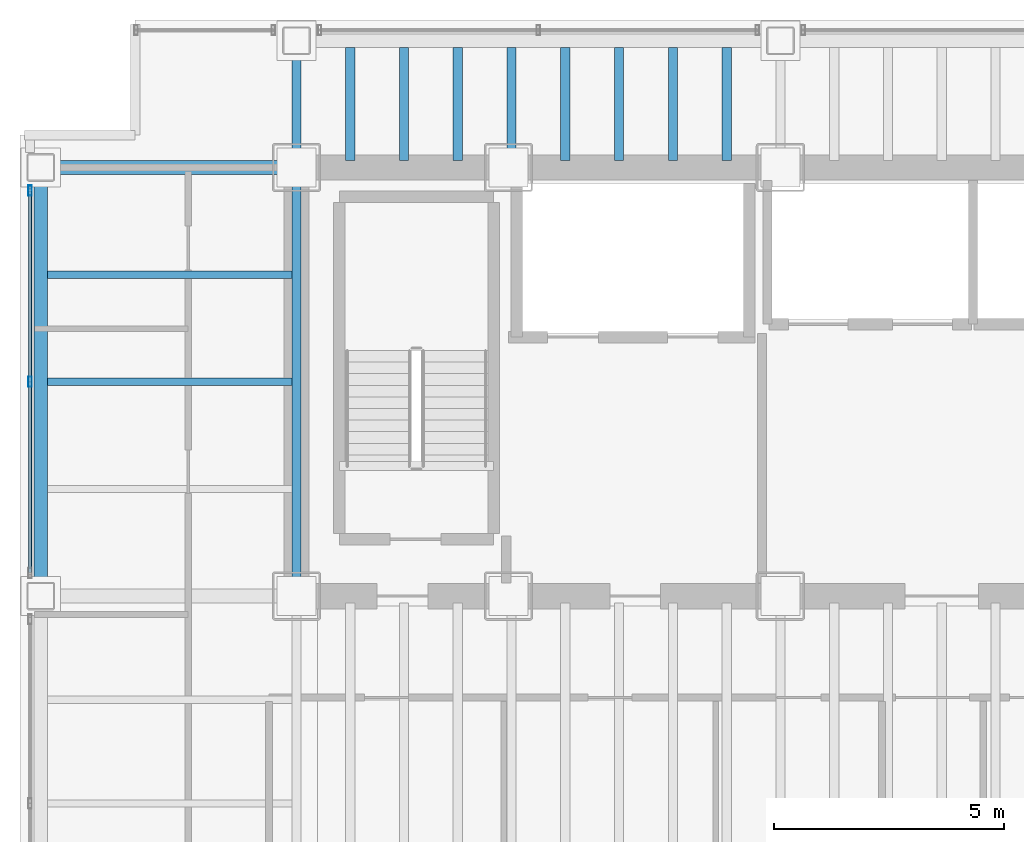
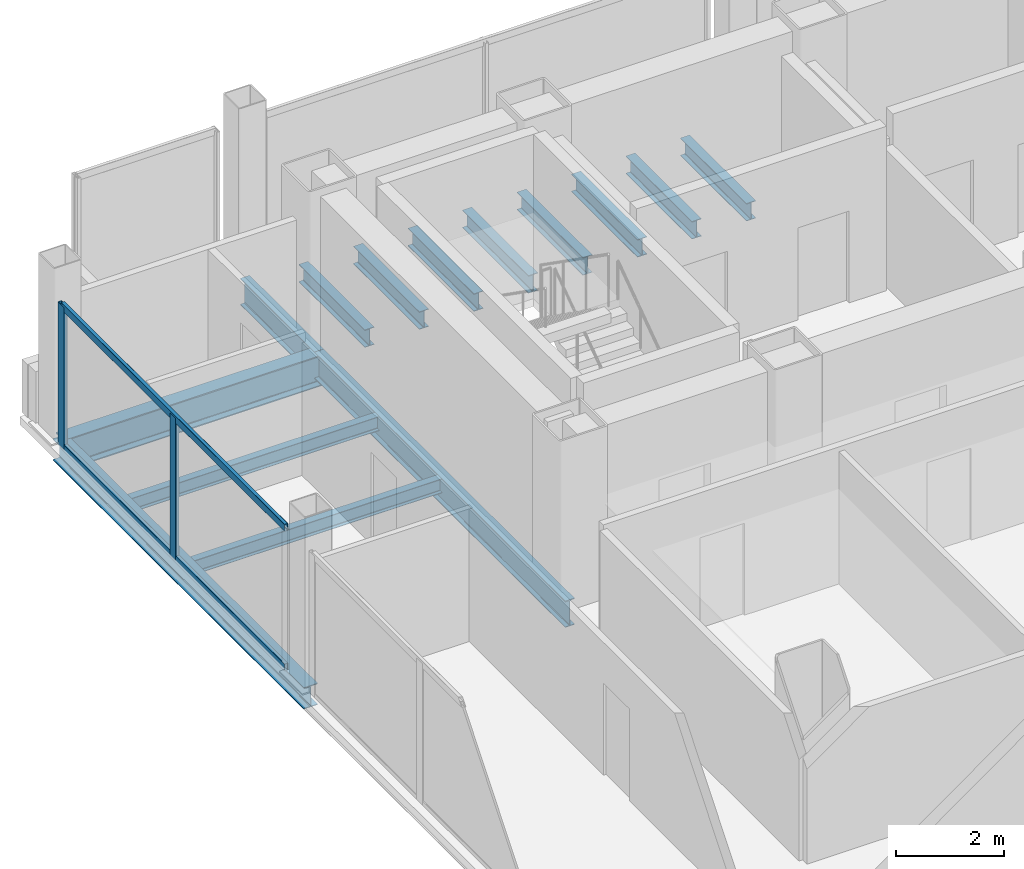
# One storey, part 7 of 21: 14 beams, 4 members, 1 element without a shape of its own.
"""IFC4 building model written with IfcOpenShell, lengths in metres."""

from ifc_helpers import new_model, si_unit, direction, frame, origin, origin_2d, place, context, subcontext, project, spatial, hollow_rectangle, i_section, extrude, material, material_profile, profile_set, type_object, element, aggregate, save


model = new_model("IFC4")

# Units and contexts
model_context = context("Model", 3, precision=1e-05, world=origin(), true_north=direction((0.0, 1.0)))
body_context = subcontext(model_context, "Body", "Model", "MODEL_VIEW")
ifc_project = project(units=[si_unit("LENGTHUNIT", "METRE"), si_unit("AREAUNIT", "SQUARE_METRE"), si_unit("VOLUMEUNIT", "CUBIC_METRE"), si_unit("PLANEANGLEUNIT", "RADIAN"), si_unit("MASSUNIT", "GRAM", prefix="KILO")], contexts=[model_context])

# Site, building, storey
site_placement = place(None, origin())
site = spatial("IfcSite", under=ifc_project, at=site_placement, CompositionType="ELEMENT")
building_placement = place(site_placement, origin())
building = spatial("IfcBuilding", under=site, at=building_placement, Name="Noeulbin Bourse Tower", CompositionType="ELEMENT")
storey_placement = place(building_placement, frame((0.0, 0.0, 92.800048828125)))
storey = spatial("IfcBuildingStorey", under=building, at=storey_placement, Name="L23", CompositionType="ELEMENT", Elevation=92.800048828125)

# Beams
ifc_material_1 = material(Name="Steel S355", Category="steel")
ifc_material_profile_1 = material_profile(ifc_material_1, i_section(OverallWidth=0.199951171875, OverallDepth=0.60009765625, WebThickness=0.010986328125, FlangeThickness=0.01708984375, FilletRadius=0.02197265625, at=origin_2d()), Name="H-600x200x11x17", Category="LoadBearing")
ifc_profile_set_1 = profile_set([ifc_material_profile_1], Name="Steel S355")
beam_type_1 = type_object("IfcBeamType", Name="BM-GRD-600", PredefinedType="USERDEFINED", material=ifc_profile_set_1)
beam_1_placement = place(storey_placement, frame((13.5, 29.0, -0.47998046875), z_axis=(0.0, 1.0, 0.0), x_axis=(-1.0, 0.0, 0.0)))
element("IfcBeam", 1, at=beam_1_placement, inside=storey, type_object=beam_type_1, Name="Tower Primary Girder NS L23-1.3", ObjectType="GIRDER", PredefinedType="USERDEFINED", context=body_context, shape_type="SweptSolid", body=[
    extrude(i_section(OverallWidth=0.199951171875, OverallDepth=0.60009765625, WebThickness=0.010986328125, FlangeThickness=0.01708984375, FilletRadius=0.02197265625, at=origin_2d()), origin(), (0.0, 0.0, 1.0), 9.300048828125),
])
beam_2_placement = place(storey_placement, frame((13.5, 38.300048828125, -0.47998046875), z_axis=(0.0, 1.0, 0.0), x_axis=(-1.0, 0.0, 0.0)))
element("IfcBeam", 2, at=beam_2_placement, inside=storey, type_object=beam_type_1, Name="Tower Primary Girder NS L23-1.4", ObjectType="GIRDER", PredefinedType="USERDEFINED", context=body_context, shape_type="SweptSolid", body=[
    extrude(i_section(OverallWidth=0.199951171875, OverallDepth=0.60009765625, WebThickness=0.010986328125, FlangeThickness=0.01708984375, FilletRadius=0.02197265625, at=origin_2d()), origin(), (0.0, 0.0, 1.0), 2.75),
])
ifc_material_profile_2 = material_profile(ifc_material_1, i_section(OverallWidth=0.300048828125, OverallDepth=0.699951171875, WebThickness=0.012939453125, FlangeThickness=0.02392578125, FilletRadius=0.02392578125, at=origin_2d()), Name="H-700x300x13x24", Category="LoadBearing")
ifc_profile_set_2 = profile_set([ifc_material_profile_2], Name="Steel S355")
beam_type_2 = type_object("IfcBeamType", Name="BM-GRD-700", PredefinedType="USERDEFINED", material=ifc_profile_set_2)
beam_3_placement = place(storey_placement, frame((7.949951171875, 38.300048828125, -0.530029296875), z_axis=(1.0, 0.0, 0.0), x_axis=(0.0, 1.0, 0.0)))
element("IfcBeam", 3, at=beam_3_placement, inside=storey, type_object=beam_type_2, Name="Tower Primary Girder EW L23-3.1", ObjectType="GIRDER", PredefinedType="USERDEFINED", context=body_context, shape_type="SweptSolid", body=[
    extrude(i_section(OverallWidth=0.300048828125, OverallDepth=0.699951171875, WebThickness=0.012939453125, FlangeThickness=0.02392578125, FilletRadius=0.02392578125, at=origin_2d()), origin(), (0.0, 0.0, 1.0), 5.550048828125),
])
ifc_material_profile_3 = material_profile(ifc_material_1, i_section(OverallWidth=0.159912109375, OverallDepth=0.320068359375, WebThickness=0.006591796875, FlangeThickness=0.010009765625, FilletRadius=0.012939453125, at=origin_2d()), Name="H-320x160x6.5x10", Category="LoadBearing")
ifc_profile_set_3 = profile_set([ifc_material_profile_3], Name="Steel S355")
beam_type_3 = type_object("IfcBeamType", Name="BM-JST-320", PredefinedType="JOIST", material=ifc_profile_set_3)
for number, where, z_axis, x_axis, name in (
    (4, (8.10009765625, 33.64990234375, -0.340087890625), (1.0, 0.0, 0.0), (0.0, 1.0, 0.0), "Wing Composite Joist L23-W74"),
    (5, (8.10009765625, 35.97509765625, -0.340087890625), (1.0, 0.0, 0.0), (0.0, 1.0, 0.0), "Wing Composite Joist L23-W75"),
):
    element("IfcBeam", number, at=place(storey_placement, frame(where, z_axis=z_axis, x_axis=x_axis)), inside=storey, type_object=beam_type_3, Name=name, PredefinedType="JOIST", context=body_context, shape_type="SweptSolid", body=[
        extrude(i_section(OverallWidth=0.159912109375, OverallDepth=0.320068359375, WebThickness=0.006591796875, FlangeThickness=0.010009765625, FilletRadius=0.012939453125, at=origin_2d()), origin(), (0.0, 0.0, 1.0), 5.2998046875),
    ])
ifc_material_profile_4 = material_profile(ifc_material_1, i_section(OverallWidth=0.199951171875, OverallDepth=0.39990234375, WebThickness=0.008056640625, FlangeThickness=0.012939453125, FilletRadius=0.01611328125, at=origin_2d()), Name="H-400x200x8x13", Category="LoadBearing")
ifc_profile_set_4 = profile_set([ifc_material_profile_4], Name="Steel S355")
beam_type_4 = type_object("IfcBeamType", Name="BM-SEC-400", PredefinedType="BEAM", material=ifc_profile_set_4)
for number, where, z_axis, x_axis, name in (
    (6, (14.666748046875, 38.449951171875, -0.380126953125), (0.0, 1.0, 0.0), (-1.0, 0.0, 0.0), "Tower Composite Joist L23-03"),
    (7, (15.833251953125, 38.449951171875, -0.380126953125), (0.0, 1.0, 0.0), (-1.0, 0.0, 0.0), "Tower Composite Joist L23-06"),
    (8, (17.0, 38.449951171875, -0.380126953125), (0.0, 1.0, 0.0), (-1.0, 0.0, 0.0), "Tower Composite Joist L23-09"),
    (9, (18.166748046875, 38.449951171875, -0.380126953125), (0.0, 1.0, 0.0), (-1.0, 0.0, 0.0), "Tower Composite Joist L23-12"),
    (10, (19.333251953125, 38.449951171875, -0.380126953125), (0.0, 1.0, 0.0), (-1.0, 0.0, 0.0), "Tower Composite Joist L23-15"),
    (11, (20.5, 38.449951171875, -0.380126953125), (0.0, 1.0, 0.0), (-1.0, 0.0, 0.0), "Tower Composite Joist L23-18"),
    (12, (21.666748046875, 38.449951171875, -0.380126953125), (0.0, 1.0, 0.0), (-1.0, 0.0, 0.0), "Tower Composite Joist L23-21"),
    (13, (22.833251953125, 38.449951171875, -0.380126953125), (0.0, 1.0, 0.0), (-1.0, 0.0, 0.0), "Tower Composite Joist L23-24"),
):
    element("IfcBeam", number, at=place(storey_placement, frame(where, z_axis=z_axis, x_axis=x_axis)), inside=storey, type_object=beam_type_4, Name=name, PredefinedType="BEAM", context=body_context, shape_type="SweptSolid", body=[
        extrude(i_section(OverallWidth=0.199951171875, OverallDepth=0.39990234375, WebThickness=0.008056640625, FlangeThickness=0.012939453125, FilletRadius=0.01611328125, at=origin_2d()), origin(), (0.0, 0.0, 1.0), 2.449951171875),
    ])
ifc_material_profile_5 = material_profile(ifc_material_1, i_section(OverallWidth=0.300048828125, OverallDepth=0.488037109375, WebThickness=0.010986328125, FlangeThickness=0.01806640625, FilletRadius=0.02197265625, at=origin_2d()), Name="H-488x300x11x18", Category="LoadBearing")
ifc_profile_set_5 = profile_set([ifc_material_profile_5], Name="Steel S355")
beam_type_5 = type_object("IfcBeamType", Name="BM-SPN-488", PredefinedType="SPANDREL", material=ifc_profile_set_5)
beam_4_placement = place(storey_placement, frame((7.949951171875, 29.0, -0.424072265625), z_axis=(0.0, 1.0, 0.0), x_axis=(-1.0, 0.0, 0.0)))
element("IfcBeam", 14, at=beam_4_placement, inside=storey, type_object=beam_type_5, Name="West Spandrel L23-2", PredefinedType="SPANDREL", context=body_context, shape_type="SweptSolid", body=[
    extrude(i_section(OverallWidth=0.300048828125, OverallDepth=0.488037109375, WebThickness=0.010986328125, FlangeThickness=0.01806640625, FilletRadius=0.02197265625, at=origin_2d()), origin(), (0.0, 0.0, 1.0), 9.300048828125),
])

# Curtain wall, members
ifc_material_2 = material(Name="Dark Solar-Control Double Glazing", Category="glass")
curtain_wall_type = type_object("IfcCurtainWallType", Name="CW-SYS-2", PredefinedType="NOTDEFINED", material=ifc_material_2)
curtain_wall_placement = place(storey_placement, origin())
curtain_wall = element("IfcCurtainWall", 15, at=curtain_wall_placement, inside=storey, type_object=curtain_wall_type, Name="Unitised Curtain Wall CW-L23-W-S3", PredefinedType="NOTDEFINED")
ifc_material_3 = material(Name="Anodised Aluminium 6063-T6", Category="aluminium")
ifc_material_profile_6 = material_profile(ifc_material_3, hollow_rectangle(XDim=0.074951171875, YDim=0.219970703125, WallThickness=0.0048828125, InnerFilletRadius=0.00244140625, OuterFilletRadius=0.0048828125, at=origin_2d()), Name="ALU-MULL-75x220x5", Category="LoadBearing")
ifc_profile_set_6 = profile_set([ifc_material_profile_6], Name="Anodised Aluminium 6063-T6")
member_type_1 = type_object("IfcMemberType", Name="CW-SYS-2-MUL", PredefinedType="MULLION", material=ifc_profile_set_6)
member_1_placement = place(storey_placement, frame((7.719970703125, 33.64990234375, -0.02001953125), z_axis=(0.0, 0.0, 1.0), x_axis=(1.0, 0.0, 0.0)))
member_1 = element("IfcMember", 16, at=member_1_placement, type_object=member_type_1, Name="Curtain Wall Mullion CW-L23-W-S3-M01", PredefinedType="MULLION", context=body_context, shape_type="SweptSolid", body=[
    extrude(hollow_rectangle(XDim=0.074951171875, YDim=0.219970703125, WallThickness=0.0048828125, InnerFilletRadius=0.00244140625, OuterFilletRadius=0.0048828125, at=origin_2d()), origin(), (0.0, 0.0, 1.0), 3.219970703125),
])
member_2_placement = place(storey_placement, frame((7.719970703125, 37.800048828125, -0.02001953125), z_axis=(0.0, 0.0, 1.0), x_axis=(1.0, 0.0, 0.0)))
member_2 = element("IfcMember", 17, at=member_2_placement, type_object=member_type_1, Name="Curtain Wall Mullion CW-L23-W-S3-M02", PredefinedType="MULLION", context=body_context, shape_type="SweptSolid", body=[
    extrude(hollow_rectangle(XDim=0.074951171875, YDim=0.219970703125, WallThickness=0.0048828125, InnerFilletRadius=0.00244140625, OuterFilletRadius=0.0048828125, at=origin_2d()), origin(), (0.0, 0.0, 1.0), 3.219970703125),
])
ifc_material_profile_7 = material_profile(ifc_material_3, hollow_rectangle(XDim=0.074951171875, YDim=0.159912109375, WallThickness=0.0048828125, InnerFilletRadius=0.00244140625, OuterFilletRadius=0.0048828125, at=origin_2d()), Name="ALU-TRAN-75x160x5", Category="LoadBearing")
ifc_profile_set_7 = profile_set([ifc_material_profile_7], Name="Anodised Aluminium 6063-T6")
member_type_2 = type_object("IfcMemberType", Name="CW-SYS-2-TRN", PredefinedType="USERDEFINED", material=ifc_profile_set_7)
member_3_placement = place(storey_placement, frame((7.719970703125, 29.510009765625, 0.010009765625), z_axis=(0.0, 1.0, 0.0), x_axis=(-1.0, 0.0, 0.0)))
member_3 = element("IfcMember", 18, at=member_3_placement, type_object=member_type_2, Name="Curtain Wall Transom CW-L23-W-S3-T00", ObjectType="TRANSOM", PredefinedType="USERDEFINED", context=body_context, shape_type="SweptSolid", body=[
    extrude(hollow_rectangle(XDim=0.074951171875, YDim=0.159912109375, WallThickness=0.0048828125, InnerFilletRadius=0.00244140625, OuterFilletRadius=0.0048828125, at=origin_2d()), origin(), (0.0, 0.0, 1.0), 8.280029296875),
])
member_4_placement = place(storey_placement, frame((7.719970703125, 29.510009765625, 3.169921875), z_axis=(0.0, 1.0, 0.0), x_axis=(-1.0, 0.0, 0.0)))
member_4 = element("IfcMember", 19, at=member_4_placement, type_object=member_type_2, Name="Curtain Wall Transom CW-L23-W-S3-T01", ObjectType="TRANSOM", PredefinedType="USERDEFINED", context=body_context, shape_type="SweptSolid", body=[
    extrude(hollow_rectangle(XDim=0.074951171875, YDim=0.159912109375, WallThickness=0.0048828125, InnerFilletRadius=0.00244140625, OuterFilletRadius=0.0048828125, at=origin_2d()), origin(), (0.0, 0.0, 1.0), 8.280029296875),
])
aggregate(curtain_wall, [member_1, member_2, member_3, member_4])

save(model, "model.ifc")
